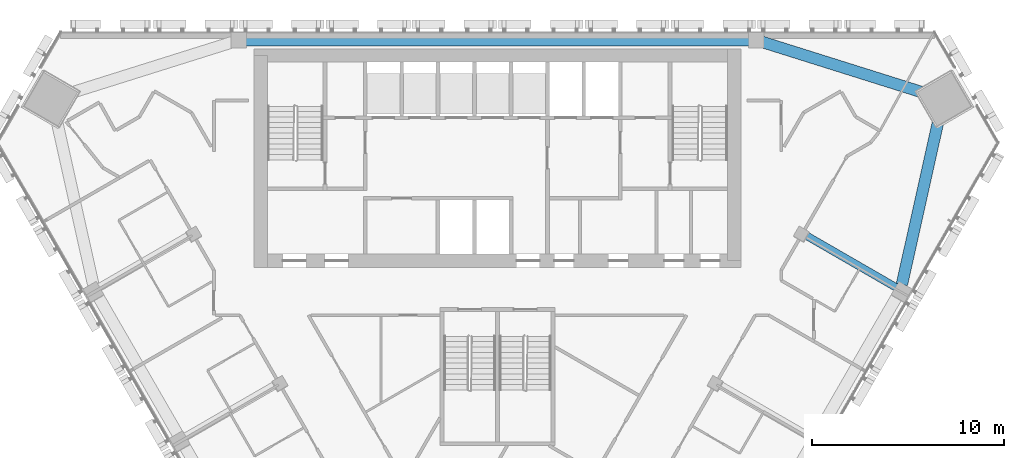
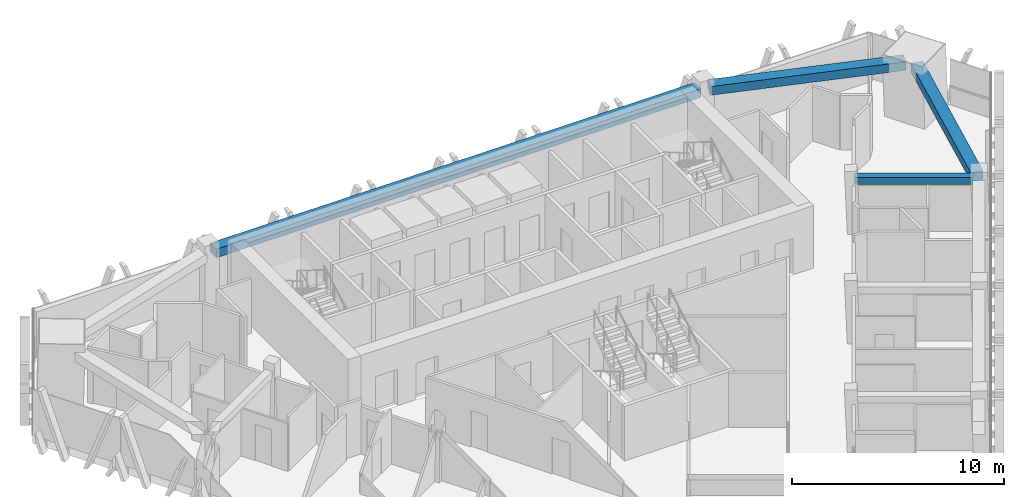
# One storey, part 6 of 16: 4 beams.
"""IFC4 building model written with IfcOpenShell, lengths in metres."""

from ifc_helpers import new_model, si_unit, direction, frame, origin, origin_2d, place, context, subcontext, project, spatial, rectangle, extrude, material, material_profile, profile_set, type_object, element, save


model = new_model("IFC4")

# Units and contexts
model_context = context("Model", 3, precision=1e-05, world=origin(), true_north=direction((0.0, 1.0)))
body_context = subcontext(model_context, "Body", "Model", "MODEL_VIEW")
ifc_project = project(units=[si_unit("LENGTHUNIT", "METRE"), si_unit("AREAUNIT", "SQUARE_METRE"), si_unit("VOLUMEUNIT", "CUBIC_METRE"), si_unit("PLANEANGLEUNIT", "RADIAN"), si_unit("MASSUNIT", "GRAM", prefix="KILO")], contexts=[model_context])

# Site, building, storey
site_placement = place(None, origin())
site = spatial("IfcSite", under=ifc_project, at=site_placement, CompositionType="ELEMENT")
building_placement = place(site_placement, origin())
building = spatial("IfcBuilding", under=site, at=building_placement, Name="Altiplano Prism Tower", CompositionType="ELEMENT")
storey_placement = place(building_placement, frame((0.0, 0.0, 181.800048828125)))
storey = spatial("IfcBuildingStorey", under=building, at=storey_placement, Name="L47", CompositionType="ELEMENT", Elevation=181.800048828125)

# Beams
ifc_material = material(Name="Concrete C60/75", Category="concrete")
ifc_material_profile_1 = material_profile(ifc_material, rectangle(XDim=0.60009765625, YDim=0.5, at=origin_2d()), Name="Edge beam 600x500")
ifc_profile_set_1 = profile_set([ifc_material_profile_1], Name="Concrete C60/75")
beam_type_1 = type_object("IfcBeamType", Name="Edge beam 600x500", PredefinedType="SPANDREL", material=ifc_profile_set_1)
for number, where, z_axis, x_axis, name in (
    (1, (106.09228515625, 91.804443359375, 2.89990234375), (0.21735085258, 0.976093544125, 0.0), (-0.976093544125, 0.21735085258, 0.0), "Edge beam P24-M2 L48"),
    (2, (107.81884765625, 101.621337890625, 2.89990234375), (-0.954000248647, 0.29980581312, 0.0), (-0.29980581312, -0.954000248647, 0.0), "Edge beam M2-P01 L48"),
):
    element("IfcBeam", number, at=place(storey_placement, frame(where, z_axis=z_axis, x_axis=x_axis)), inside=storey, type_object=beam_type_1, Name=name, PredefinedType="SPANDREL", context=body_context, shape_type="SweptSolid", body=[
        extrude(rectangle(XDim=0.60009765625, YDim=0.5, at=origin_2d()), origin(), (0.0, 0.0, 1.0), 9.468994140625),
    ])
beam_1_placement = place(storey_placement, frame((98.219970703125, 104.550048828125, 2.89990234375), z_axis=(-1.0, 0.0, 0.0), x_axis=(0.0, -1.0, 0.0)))
element("IfcBeam", 3, at=beam_1_placement, inside=storey, type_object=beam_type_1, Name="Edge beam P01-P04 L48", PredefinedType="SPANDREL", context=body_context, shape_type="SweptSolid", body=[
    extrude(rectangle(XDim=0.60009765625, YDim=0.5, at=origin_2d()), origin(), (0.0, 0.0, 1.0), 26.43994140625),
])
ifc_material_profile_2 = material_profile(ifc_material, rectangle(XDim=0.39990234375, YDim=0.39990234375, at=origin_2d()), Name="Tie beam 400x400")
ifc_profile_set_2 = profile_set([ifc_material_profile_2], Name="Concrete C60/75")
beam_type_2 = type_object("IfcBeamType", Name="Tie beam 400x400", PredefinedType="BEAM", material=ifc_profile_set_2)
beam_2_placement = place(storey_placement, frame((100.943603515625, 94.447265625, 2.949951171875), z_axis=(0.866041588165, -0.499971966783, 0.0), x_axis=(0.499971966783, 0.866041588165, 0.0)))
element("IfcBeam", 4, at=beam_2_placement, inside=storey, type_object=beam_type_2, Name="Tie beam I24 L48", PredefinedType="BEAM", context=body_context, shape_type="SweptSolid", body=[
    extrude(rectangle(XDim=0.39990234375, YDim=0.39990234375, at=origin_2d()), origin(), (0.0, 0.0, 1.0), 5.590087890625),
])

save(model, "model.ifc")
